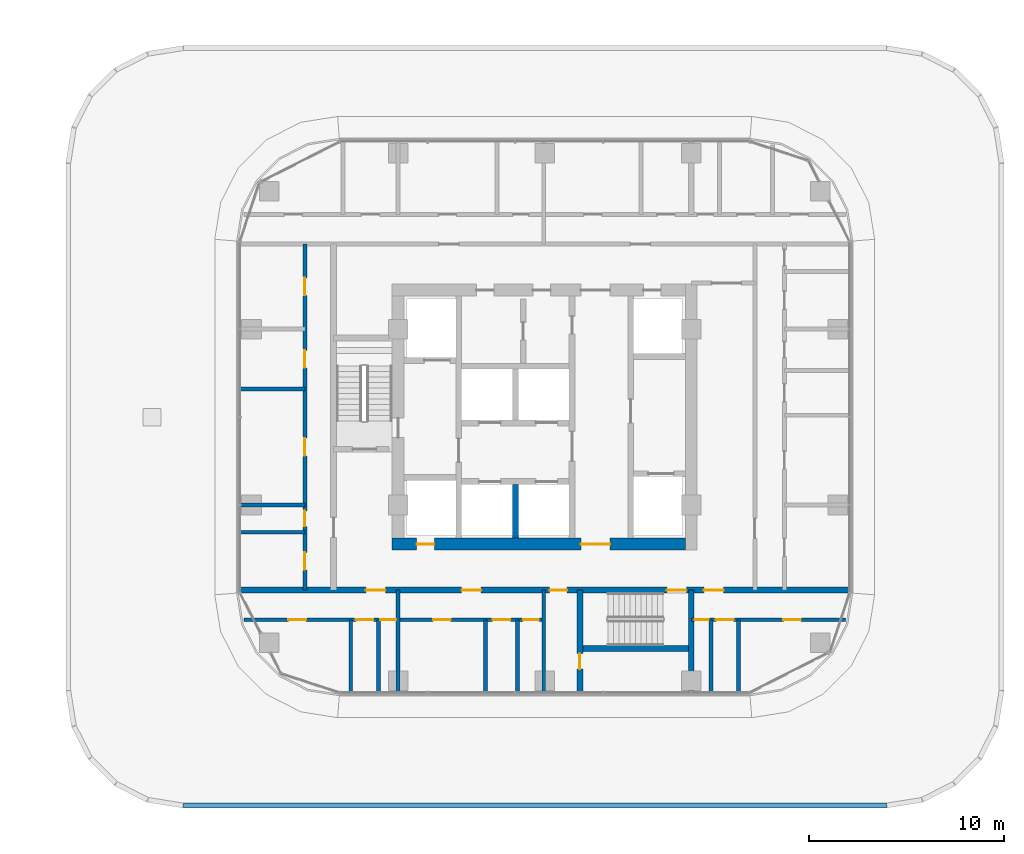
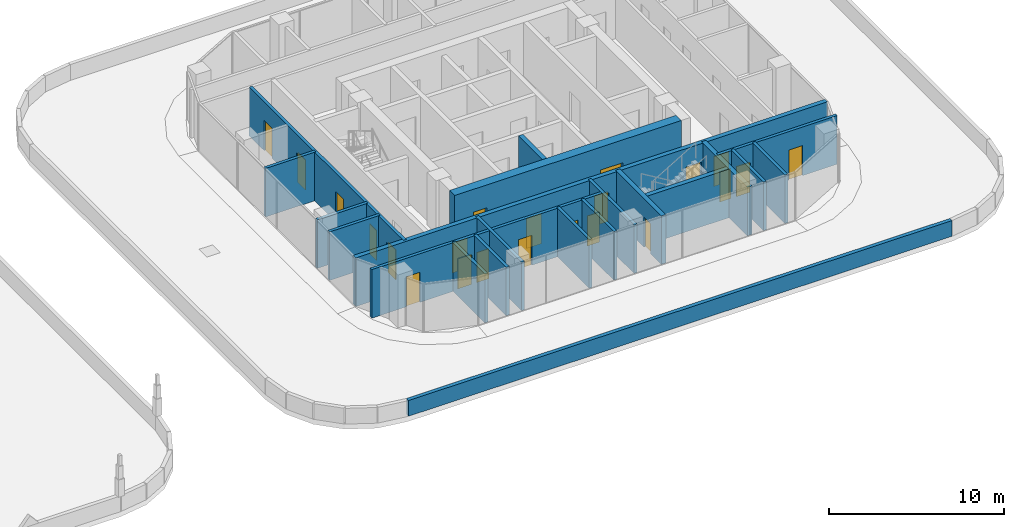
# One storey, part 29 of 51: 22 doors, 21 walls, 22 openings.
"""IFC4 building model written with IfcOpenShell, lengths in metres."""

from ifc_helpers import new_model, si_unit, direction, frame, frame_2d, origin, place, context, subcontext, project, spatial, rectangle, extrude, material, layer, layer_set, type_object, element, fill, save


model = new_model("IFC4")

# Units and contexts
model_context = context("Model", 3, precision=1e-05, world=origin(), true_north=direction((0.0, 1.0)))
body_context = subcontext(model_context, "Body", "Model", "MODEL_VIEW")
ifc_project = project(units=[si_unit("LENGTHUNIT", "METRE"), si_unit("AREAUNIT", "SQUARE_METRE"), si_unit("VOLUMEUNIT", "CUBIC_METRE"), si_unit("PLANEANGLEUNIT", "RADIAN"), si_unit("MASSUNIT", "GRAM", prefix="KILO")], contexts=[model_context])

# Site, building, storey
site_placement = place(None, origin())
site = spatial("IfcSite", under=ifc_project, at=site_placement, CompositionType="ELEMENT")
building_placement = place(site_placement, origin())
building = spatial("IfcBuilding", under=site, at=building_placement, Name="Ogive Portal Towers", CompositionType="ELEMENT")
storey_placement = place(building_placement, frame((0.0, 0.0, 33.5)))
storey = spatial("IfcBuildingStorey", under=building, at=storey_placement, Name="L06", CompositionType="ELEMENT", Elevation=33.5)

# Wall
ifc_material_1 = material(Name="Concrete C60/75", Category="concrete")
ifc_layer_1 = layer(ifc_material_1, 0.300048828125)
ifc_layer_set_1 = layer_set([ifc_layer_1], Name="CORE WALL 300 C60")
wall_type_1 = type_object("IfcWallType", Name="CORE WALL 300 C60", PredefinedType="SHEAR", material=ifc_layer_set_1)
wall_1_placement = place(storey_placement, frame((135.0, 24.800048828125, 0.0), z_axis=(0.0, 0.0, 1.0), x_axis=(0.0, 1.0, 0.0)))
element("IfcWall", 1, at=wall_1_placement, inside=storey, type_object=wall_type_1, Name="Tower B core wall BX4 L06", PredefinedType="SHEAR", context=body_context, shape_type="SweptSolid", body=[
    extrude(rectangle(XDim=2.75, YDim=0.300048828125, at=frame_2d((1.375, 0.0))), origin(), (0.0, 0.0, 1.0), 3.699951171875),
])

# Wall, openings, doors
ifc_layer_2 = layer(ifc_material_1, 0.60009765625)
ifc_layer_set_2 = layer_set([ifc_layer_2], Name="CORE WALL 600 C60")
wall_type_2 = type_object("IfcWallType", Name="CORE WALL 600 C60", PredefinedType="SHEAR", material=ifc_layer_set_2)
wall_2_placement = place(storey_placement, frame((128.699951171875, 24.5, 0.0), z_axis=(0.0, 0.0, 1.0), x_axis=(1.0, 0.0, 0.0)))
wall_2 = element("IfcWall", 2, at=wall_2_placement, inside=storey, type_object=wall_type_2, Name="Tower B core wall BS L06", PredefinedType="SHEAR", context=body_context, shape_type="SweptSolid", body=[
    extrude(rectangle(XDim=15.0, YDim=0.60009765625, at=frame_2d((7.5, 0.0))), origin(), (0.0, 0.0, 1.0), 3.699951171875),
])
opening_1_placement = place(wall_2_placement, frame((9.64990234375, 0.0, 0.0)))
opening_1 = element("IfcOpeningElement", 3, at=opening_1_placement, cuts=wall_2, Name="Opening B01-047", PredefinedType="OPENING", context=body_context, shape_type="SweptSolid", body=[
    extrude(rectangle(XDim=1.5, YDim=2.10009765625, at=frame_2d((0.75, 1.050048828125))), frame((0.0, 0.31005859375, 0.0), z_axis=(0.0, -1.0, 0.0), x_axis=(1.0, 0.0, 0.0)), (0.0, 0.0, 1.0), 0.6201171875),
])
opening_2_placement = place(wall_2_placement, frame((1.25, 0.0, 0.0)))
opening_2 = element("IfcOpeningElement", 4, at=opening_2_placement, cuts=wall_2, Name="Opening B01-049", PredefinedType="OPENING", context=body_context, shape_type="SweptSolid", body=[
    extrude(rectangle(XDim=0.89990234375, YDim=2.10009765625, at=frame_2d((0.449951171875, 1.050048828125))), frame((0.0, 0.31005859375, 0.0), z_axis=(0.0, -1.0, 0.0), x_axis=(1.0, 0.0, 0.0)), (0.0, 0.0, 1.0), 0.6201171875),
])
ifc_material_2 = material(Name="Steel fire door", Category="steel")
door_type_1 = type_object("IfcDoorType", Name="DT-SWING-1500x2100-FD90S", OperationType="SINGLE_SWING_LEFT", PredefinedType="DOOR", material=ifc_material_2)
door_1_placement = place(opening_1_placement, origin())
door_1 = element("IfcDoor", 5, at=door_1_placement, inside=storey, type_object=door_type_1, Name="Door B01-047", OperationType="SINGLE_SWING_LEFT", OverallHeight=2.10009765625, OverallWidth=1.5, PredefinedType="DOOR", context=body_context, shape_type="SweptSolid", body=[
    extrude(rectangle(XDim=1.5, YDim=2.10009765625, at=frame_2d((0.75, 1.050048828125))), frame((0.0, 0.02490234375, 0.0), z_axis=(0.0, -1.0, 0.0), x_axis=(1.0, 0.0, 0.0)), (0.0, 0.0, 1.0), 0.050048828125),
])
fill(opening_1, door_1)
door_type_2 = type_object("IfcDoorType", Name="DT-SWING-900x2100-FD90S", OperationType="SINGLE_SWING_LEFT", PredefinedType="DOOR", material=ifc_material_2)
door_2_placement = place(opening_2_placement, origin())
door_2 = element("IfcDoor", 6, at=door_2_placement, inside=storey, type_object=door_type_2, Name="Riser access door B01-049", OperationType="SINGLE_SWING_LEFT", OverallHeight=2.10009765625, OverallWidth=0.89990234375, PredefinedType="DOOR", context=body_context, shape_type="SweptSolid", body=[
    extrude(rectangle(XDim=0.89990234375, YDim=2.10009765625, at=frame_2d((0.449951171875, 1.050048828125))), frame((0.0, 0.02490234375, 0.0), z_axis=(0.0, -1.0, 0.0), x_axis=(1.0, 0.0, 0.0)), (0.0, 0.0, 1.0), 0.050048828125),
])
fill(opening_2, door_2)

# Walls
ifc_material_3 = material(Name="Limestone cladding on lightweight block wall", Category="masonry")
ifc_layer_3 = layer(ifc_material_3, 0.25)
ifc_layer_set_3 = layer_set([ifc_layer_3], Name="PARAPET 250 STONE")
wall_type_3 = type_object("IfcWallType", Name="PARAPET 250 STONE", PredefinedType="PARAPET", material=ifc_layer_set_3)
wall_3_placement = place(storey_placement, frame((118.019775390625, 11.125, 0.0), z_axis=(0.0, 0.0, 1.0), x_axis=(1.0, 0.0, 0.0)))
element("IfcWall", 7, at=wall_3_placement, inside=storey, type_object=wall_type_3, Name="B:L06:proof0:para06", PredefinedType="PARAPET", context=body_context, shape_type="SweptSolid", body=[
    extrude(rectangle(XDim=35.96044921875, YDim=0.25, at=frame_2d((17.980224609375, 0.0))), origin(), (0.0, 0.0, 1.0), 1.10009765625),
])
ifc_material_4 = material(Name="Concrete C50/60", Category="concrete")
ifc_layer_4 = layer(ifc_material_4, 0.300048828125)
ifc_layer_set_4 = layer_set([ifc_layer_4], Name="STAIR WALL 300 C50")
wall_type_4 = type_object("IfcWallType", Name="STAIR WALL 300 C50", PredefinedType="SHEAR", material=ifc_layer_set_4)
wall_4_placement = place(storey_placement, frame((138.25, 19.14990234375, 0.0), z_axis=(0.0, 0.0, 1.0), x_axis=(1.0, 0.0, 0.0)))
element("IfcWall", 8, at=wall_4_placement, inside=storey, type_object=wall_type_4, Name="Stair wall ST-B2 L06", PredefinedType="SHEAR", context=body_context, shape_type="SweptSolid", body=[
    extrude(rectangle(XDim=5.75, YDim=0.300048828125, at=frame_2d((2.875, 0.0))), origin(), (0.0, 0.0, 1.0), 3.39990234375),
])

# Wall, openings, doors
wall_5_placement = place(storey_placement, frame((120.889892578125, 22.14990234375, 0.0), z_axis=(0.0, 0.0, 1.0), x_axis=(1.0, 0.0, 0.0)))
wall_5 = element("IfcWall", 9, at=wall_5_placement, inside=storey, type_object=wall_type_4, Name="Stair wall ST-B2 L06", PredefinedType="SHEAR", context=body_context, shape_type="SweptSolid", body=[
    extrude(rectangle(XDim=31.22021484375, YDim=0.300048828125, at=frame_2d((15.610107421875, 0.0))), origin(), (0.0, 0.0, 1.0), 3.39990234375),
])
opening_3_placement = place(wall_5_placement, frame((21.860107421875, 0.0, 0.0)))
opening_3 = element("IfcOpeningElement", 10, at=opening_3_placement, cuts=wall_5, Name="Opening B01-003", PredefinedType="OPENING", context=body_context, shape_type="SweptSolid", body=[
    extrude(rectangle(XDim=1.0, YDim=2.10009765625, at=frame_2d((0.5, 1.050048828125))), frame((0.0, 0.16015625, 0.0), z_axis=(0.0, -1.0, 0.0), x_axis=(1.0, 0.0, 0.0)), (0.0, 0.0, 1.0), 0.320068359375),
])
opening_4_placement = place(wall_5_placement, frame((6.4599609375, 0.0, 0.0)))
opening_4 = element("IfcOpeningElement", 11, at=opening_4_placement, cuts=wall_5, Name="Opening B01-016", PredefinedType="OPENING", context=body_context, shape_type="SweptSolid", body=[
    extrude(rectangle(XDim=1.0, YDim=2.10009765625, at=frame_2d((0.5, 1.050048828125))), frame((0.0, 0.16015625, 0.0), z_axis=(0.0, -1.0, 0.0), x_axis=(1.0, 0.0, 0.0)), (0.0, 0.0, 1.0), 0.320068359375),
])
opening_5_placement = place(wall_5_placement, frame((11.360107421875, 0.0, 0.0)))
opening_5 = element("IfcOpeningElement", 12, at=opening_5_placement, cuts=wall_5, Name="Opening B01-020", PredefinedType="OPENING", context=body_context, shape_type="SweptSolid", body=[
    extrude(rectangle(XDim=1.0, YDim=2.10009765625, at=frame_2d((0.5, 1.050048828125))), frame((0.0, 0.16015625, 0.0), z_axis=(0.0, -1.0, 0.0), x_axis=(1.0, 0.0, 0.0)), (0.0, 0.0, 1.0), 0.320068359375),
])
opening_6_placement = place(wall_5_placement, frame((23.760009765625, 0.0, 0.0)))
opening_6 = element("IfcOpeningElement", 13, at=opening_6_placement, cuts=wall_5, Name="Opening B01-024", PredefinedType="OPENING", context=body_context, shape_type="SweptSolid", body=[
    extrude(rectangle(XDim=1.0, YDim=2.10009765625, at=frame_2d((0.5, 1.050048828125))), frame((0.0, 0.16015625, 0.0), z_axis=(0.0, -1.0, 0.0), x_axis=(1.0, 0.0, 0.0)), (0.0, 0.0, 1.0), 0.320068359375),
])
opening_7_placement = place(wall_5_placement, frame((15.860107421875, 0.0, 0.0)))
opening_7 = element("IfcOpeningElement", 14, at=opening_7_placement, cuts=wall_5, Name="Opening B01-028", PredefinedType="OPENING", context=body_context, shape_type="SweptSolid", body=[
    extrude(rectangle(XDim=0.89990234375, YDim=2.10009765625, at=frame_2d((0.449951171875, 1.050048828125))), frame((0.0, 0.16015625, 0.0), z_axis=(0.0, -1.0, 0.0), x_axis=(1.0, 0.0, 0.0)), (0.0, 0.0, 1.0), 0.320068359375),
])
door_type_3 = type_object("IfcDoorType", Name="DT-SWING-1000x2100-FD90S", OperationType="SINGLE_SWING_LEFT", PredefinedType="DOOR", material=ifc_material_2)
door_3_placement = place(opening_3_placement, origin())
door_3 = element("IfcDoor", 15, at=door_3_placement, inside=storey, type_object=door_type_3, Name="Door B01-003", OperationType="SINGLE_SWING_LEFT", OverallHeight=2.10009765625, OverallWidth=1.0, PredefinedType="DOOR", context=body_context, shape_type="SweptSolid", body=[
    extrude(rectangle(XDim=1.0, YDim=2.10009765625, at=frame_2d((0.5, 1.050048828125))), frame((0.0, 0.02490234375, 0.0), z_axis=(0.0, -1.0, 0.0), x_axis=(1.0, 0.0, 0.0)), (0.0, 0.0, 1.0), 0.050048828125),
])
fill(opening_3, door_3)
door_4_placement = place(opening_4_placement, origin())
door_4 = element("IfcDoor", 16, at=door_4_placement, inside=storey, type_object=door_type_3, Name="Door B01-016", OperationType="SINGLE_SWING_RIGHT", OverallHeight=2.10009765625, OverallWidth=1.0, PredefinedType="DOOR", context=body_context, shape_type="SweptSolid", body=[
    extrude(rectangle(XDim=1.0, YDim=2.10009765625, at=frame_2d((0.5, 1.050048828125))), frame((0.0, 0.02490234375, 0.0), z_axis=(0.0, -1.0, 0.0), x_axis=(1.0, 0.0, 0.0)), (0.0, 0.0, 1.0), 0.050048828125),
])
fill(opening_4, door_4)
door_5_placement = place(opening_5_placement, origin())
door_5 = element("IfcDoor", 17, at=door_5_placement, inside=storey, type_object=door_type_3, Name="Door B01-020", OperationType="SINGLE_SWING_RIGHT", OverallHeight=2.10009765625, OverallWidth=1.0, PredefinedType="DOOR", context=body_context, shape_type="SweptSolid", body=[
    extrude(rectangle(XDim=1.0, YDim=2.10009765625, at=frame_2d((0.5, 1.050048828125))), frame((0.0, 0.02490234375, 0.0), z_axis=(0.0, -1.0, 0.0), x_axis=(1.0, 0.0, 0.0)), (0.0, 0.0, 1.0), 0.050048828125),
])
fill(opening_5, door_5)
door_6_placement = place(opening_6_placement, origin())
door_6 = element("IfcDoor", 18, at=door_6_placement, inside=storey, type_object=door_type_3, Name="Door B01-024", OperationType="SINGLE_SWING_RIGHT", OverallHeight=2.10009765625, OverallWidth=1.0, PredefinedType="DOOR", context=body_context, shape_type="SweptSolid", body=[
    extrude(rectangle(XDim=1.0, YDim=2.10009765625, at=frame_2d((0.5, 1.050048828125))), frame((0.0, 0.02490234375, 0.0), z_axis=(0.0, -1.0, 0.0), x_axis=(1.0, 0.0, 0.0)), (0.0, 0.0, 1.0), 0.050048828125),
])
fill(opening_6, door_6)
door_7_placement = place(opening_7_placement, origin())
door_7 = element("IfcDoor", 19, at=door_7_placement, inside=storey, type_object=door_type_2, Name="Door B01-028", OperationType="SINGLE_SWING_RIGHT", OverallHeight=2.10009765625, OverallWidth=0.89990234375, PredefinedType="DOOR", context=body_context, shape_type="SweptSolid", body=[
    extrude(rectangle(XDim=0.89990234375, YDim=2.10009765625, at=frame_2d((0.449951171875, 1.050048828125))), frame((0.0, 0.02490234375, 0.0), z_axis=(0.0, -1.0, 0.0), x_axis=(1.0, 0.0, 0.0)), (0.0, 0.0, 1.0), 0.050048828125),
])
fill(opening_7, door_7)

# Wall, opening, door
wall_6_placement = place(storey_placement, frame((138.300048828125, 16.889892578125, 0.0), z_axis=(0.0, 0.0, 1.0), x_axis=(0.0, 1.0, 0.0)))
wall_6 = element("IfcWall", 20, at=wall_6_placement, inside=storey, type_object=wall_type_4, Name="Stair wall ST-B2 L06", PredefinedType="SHEAR", context=body_context, shape_type="SweptSolid", body=[
    extrude(rectangle(XDim=5.260009765625, YDim=0.300048828125, at=frame_2d((2.6298828125, 0.0))), origin(), (0.0, 0.0, 1.0), 3.39990234375),
])
opening_8_placement = place(wall_6_placement, frame((1.2099609375, 0.0, 0.0)))
opening_8 = element("IfcOpeningElement", 21, at=opening_8_placement, cuts=wall_6, Name="Opening B01-029", PredefinedType="OPENING", context=body_context, shape_type="SweptSolid", body=[
    extrude(rectangle(XDim=0.800048828125, YDim=2.10009765625, at=frame_2d((0.39990234375, 1.050048828125))), frame((0.0, 0.16015625, 0.0), z_axis=(0.0, -1.0, 0.0), x_axis=(1.0, 0.0, 0.0)), (0.0, 0.0, 1.0), 0.320068359375),
])
door_type_4 = type_object("IfcDoorType", Name="DT-SWING-800x2100-FD90S", OperationType="SINGLE_SWING_LEFT", PredefinedType="DOOR", material=ifc_material_2)
door_8_placement = place(opening_8_placement, origin())
door_8 = element("IfcDoor", 22, at=door_8_placement, inside=storey, type_object=door_type_4, Name="Door B01-029", OperationType="SINGLE_SWING_LEFT", OverallHeight=2.10009765625, OverallWidth=0.800048828125, PredefinedType="DOOR", context=body_context, shape_type="SweptSolid", body=[
    extrude(rectangle(XDim=0.800048828125, YDim=2.10009765625, at=frame_2d((0.39990234375, 1.050048828125))), frame((0.0, 0.02490234375, 0.0), z_axis=(0.0, -1.0, 0.0), x_axis=(1.0, 0.0, 0.0)), (0.0, 0.0, 1.0), 0.050048828125),
])
fill(opening_8, door_8)

# Wall
wall_7_placement = place(storey_placement, frame((144.0, 16.889892578125, 0.0), z_axis=(0.0, 0.0, 1.0), x_axis=(0.0, 1.0, 0.0)))
element("IfcWall", 23, at=wall_7_placement, inside=storey, type_object=wall_type_4, Name="Stair wall ST-B2 L06", PredefinedType="SHEAR", context=body_context, shape_type="SweptSolid", body=[
    extrude(rectangle(XDim=5.260009765625, YDim=0.300048828125, at=frame_2d((2.6298828125, 0.0))), origin(), (0.0, 0.0, 1.0), 3.39990234375),
])

# Wall, openings, doors
ifc_material_5 = material(Name="Gypsum board partition on steel studs", Category="steel")
ifc_layer_5 = layer(ifc_material_5, 0.199951171875)
ifc_layer_set_5 = layer_set([ifc_layer_5], Name="WT-PART-200-EI 60")
wall_type_5 = type_object("IfcWallType", Name="WT-PART-200-EI 60", PredefinedType="PARTITIONING", material=ifc_layer_set_5)
wall_8_placement = place(storey_placement, frame((121.10791015625, 20.6298828125, 0.0), z_axis=(0.0, 0.0, 1.0), x_axis=(1.0, 0.0, 0.0)))
wall_8 = element("IfcWall", 24, at=wall_8_placement, inside=storey, type_object=wall_type_5, Name="Wall L06:w002", PredefinedType="PARTITIONING", context=body_context, shape_type="SweptSolid", body=[
    extrude(rectangle(XDim=15.39208984375, YDim=0.199951171875, at=frame_2d((7.696044921875, 0.0))), origin(), (0.0, 0.0, 1.0), 3.39990234375),
])
opening_9_placement = place(wall_8_placement, frame((2.283935546875, 0.0, 0.0)))
opening_9 = element("IfcOpeningElement", 25, at=opening_9_placement, cuts=wall_8, Name="Opening B01-017", PredefinedType="OPENING", context=body_context, shape_type="SweptSolid", body=[
    extrude(rectangle(XDim=0.89990234375, YDim=2.10009765625, at=frame_2d((0.449951171875, 1.050048828125))), frame((0.0, 0.10986328125, 0.0), z_axis=(0.0, -1.0, 0.0), x_axis=(1.0, 0.0, 0.0)), (0.0, 0.0, 1.0), 0.219970703125),
])
opening_10_placement = place(wall_8_placement, frame((5.72705078125, 0.0, 0.0)))
opening_10 = element("IfcOpeningElement", 26, at=opening_10_placement, cuts=wall_8, Name="Opening B01-018", PredefinedType="OPENING", context=body_context, shape_type="SweptSolid", body=[
    extrude(rectangle(XDim=0.89990234375, YDim=2.10009765625, at=frame_2d((0.449951171875, 1.050048828125))), frame((0.0, 0.10986328125, 0.0), z_axis=(0.0, -1.0, 0.0), x_axis=(1.0, 0.0, 0.0)), (0.0, 0.0, 1.0), 0.219970703125),
])
opening_11_placement = place(wall_8_placement, frame((6.988037109375, 0.0, 0.0)))
opening_11 = element("IfcOpeningElement", 27, at=opening_11_placement, cuts=wall_8, Name="Opening B01-019", PredefinedType="OPENING", context=body_context, shape_type="SweptSolid", body=[
    extrude(rectangle(XDim=0.800048828125, YDim=2.10009765625, at=frame_2d((0.39990234375, 1.050048828125))), frame((0.0, 0.10986328125, 0.0), z_axis=(0.0, -1.0, 0.0), x_axis=(1.0, 0.0, 0.0)), (0.0, 0.0, 1.0), 0.219970703125),
])
opening_12_placement = place(wall_8_placement, frame((9.679931640625, 0.0, 0.0)))
opening_12 = element("IfcOpeningElement", 28, at=opening_12_placement, cuts=wall_8, Name="Opening B01-021", PredefinedType="OPENING", context=body_context, shape_type="SweptSolid", body=[
    extrude(rectangle(XDim=0.89990234375, YDim=2.10009765625, at=frame_2d((0.449951171875, 1.050048828125))), frame((0.0, 0.10986328125, 0.0), z_axis=(0.0, -1.0, 0.0), x_axis=(1.0, 0.0, 0.0)), (0.0, 0.0, 1.0), 0.219970703125),
])
opening_13_placement = place(wall_8_placement, frame((12.73291015625, 0.0, 0.0)))
opening_13 = element("IfcOpeningElement", 29, at=opening_13_placement, cuts=wall_8, Name="Opening B01-022", PredefinedType="OPENING", context=body_context, shape_type="SweptSolid", body=[
    extrude(rectangle(XDim=0.89990234375, YDim=2.10009765625, at=frame_2d((0.449951171875, 1.050048828125))), frame((0.0, 0.10986328125, 0.0), z_axis=(0.0, -1.0, 0.0), x_axis=(1.0, 0.0, 0.0)), (0.0, 0.0, 1.0), 0.219970703125),
])
opening_14_placement = place(wall_8_placement, frame((14.294921875, 0.0, 0.0)))
opening_14 = element("IfcOpeningElement", 30, at=opening_14_placement, cuts=wall_8, Name="Opening B01-023", PredefinedType="OPENING", context=body_context, shape_type="SweptSolid", body=[
    extrude(rectangle(XDim=0.800048828125, YDim=2.10009765625, at=frame_2d((0.39990234375, 1.050048828125))), frame((0.0, 0.10986328125, 0.0), z_axis=(0.0, -1.0, 0.0), x_axis=(1.0, 0.0, 0.0)), (0.0, 0.0, 1.0), 0.219970703125),
])
door_type_5 = type_object("IfcDoorType", Name="DT-SWING-800x2100-FD60S", OperationType="SINGLE_SWING_LEFT", PredefinedType="DOOR", material=ifc_material_2)
door_9_placement = place(opening_11_placement, origin())
door_9 = element("IfcDoor", 31, at=door_9_placement, inside=storey, type_object=door_type_5, Name="Door B01-019", OperationType="SINGLE_SWING_LEFT", OverallHeight=2.10009765625, OverallWidth=0.800048828125, PredefinedType="DOOR", context=body_context, shape_type="SweptSolid", body=[
    extrude(rectangle(XDim=0.800048828125, YDim=2.10009765625, at=frame_2d((0.39990234375, 1.050048828125))), frame((0.0, 0.02490234375, 0.0), z_axis=(0.0, -1.0, 0.0), x_axis=(1.0, 0.0, 0.0)), (0.0, 0.0, 1.0), 0.050048828125),
])
fill(opening_11, door_9)
door_10_placement = place(opening_14_placement, origin())
door_10 = element("IfcDoor", 32, at=door_10_placement, inside=storey, type_object=door_type_5, Name="Door B01-023", OperationType="SINGLE_SWING_LEFT", OverallHeight=2.10009765625, OverallWidth=0.800048828125, PredefinedType="DOOR", context=body_context, shape_type="SweptSolid", body=[
    extrude(rectangle(XDim=0.800048828125, YDim=2.10009765625, at=frame_2d((0.39990234375, 1.050048828125))), frame((0.0, 0.02490234375, 0.0), z_axis=(0.0, -1.0, 0.0), x_axis=(1.0, 0.0, 0.0)), (0.0, 0.0, 1.0), 0.050048828125),
])
fill(opening_14, door_10)
door_type_6 = type_object("IfcDoorType", Name="DT-SWING-900x2100-FD60S", OperationType="SINGLE_SWING_LEFT", PredefinedType="DOOR", material=ifc_material_2)
door_11_placement = place(opening_9_placement, origin())
door_11 = element("IfcDoor", 33, at=door_11_placement, inside=storey, type_object=door_type_6, Name="Door B01-017", OperationType="SINGLE_SWING_LEFT", OverallHeight=2.10009765625, OverallWidth=0.89990234375, PredefinedType="DOOR", context=body_context, shape_type="SweptSolid", body=[
    extrude(rectangle(XDim=0.89990234375, YDim=2.10009765625, at=frame_2d((0.449951171875, 1.050048828125))), frame((0.0, 0.02490234375, 0.0), z_axis=(0.0, -1.0, 0.0), x_axis=(1.0, 0.0, 0.0)), (0.0, 0.0, 1.0), 0.050048828125),
])
fill(opening_9, door_11)
door_12_placement = place(opening_10_placement, origin())
door_12 = element("IfcDoor", 34, at=door_12_placement, inside=storey, type_object=door_type_6, Name="Door B01-018", OperationType="SINGLE_SWING_RIGHT", OverallHeight=2.10009765625, OverallWidth=0.89990234375, PredefinedType="DOOR", context=body_context, shape_type="SweptSolid", body=[
    extrude(rectangle(XDim=0.89990234375, YDim=2.10009765625, at=frame_2d((0.449951171875, 1.050048828125))), frame((0.0, 0.02490234375, 0.0), z_axis=(0.0, -1.0, 0.0), x_axis=(1.0, 0.0, 0.0)), (0.0, 0.0, 1.0), 0.050048828125),
])
fill(opening_10, door_12)
door_13_placement = place(opening_12_placement, origin())
door_13 = element("IfcDoor", 35, at=door_13_placement, inside=storey, type_object=door_type_6, Name="Door B01-021", OperationType="SINGLE_SWING_LEFT", OverallHeight=2.10009765625, OverallWidth=0.89990234375, PredefinedType="DOOR", context=body_context, shape_type="SweptSolid", body=[
    extrude(rectangle(XDim=0.89990234375, YDim=2.10009765625, at=frame_2d((0.449951171875, 1.050048828125))), frame((0.0, 0.02490234375, 0.0), z_axis=(0.0, -1.0, 0.0), x_axis=(1.0, 0.0, 0.0)), (0.0, 0.0, 1.0), 0.050048828125),
])
fill(opening_12, door_13)
door_14_placement = place(opening_13_placement, origin())
door_14 = element("IfcDoor", 36, at=door_14_placement, inside=storey, type_object=door_type_6, Name="Door B01-022", OperationType="SINGLE_SWING_RIGHT", OverallHeight=2.10009765625, OverallWidth=0.89990234375, PredefinedType="DOOR", context=body_context, shape_type="SweptSolid", body=[
    extrude(rectangle(XDim=0.89990234375, YDim=2.10009765625, at=frame_2d((0.449951171875, 1.050048828125))), frame((0.0, 0.02490234375, 0.0), z_axis=(0.0, -1.0, 0.0), x_axis=(1.0, 0.0, 0.0)), (0.0, 0.0, 1.0), 0.050048828125),
])
fill(opening_13, door_14)

wall_9_placement = place(storey_placement, frame((144.0, 20.6298828125, 0.0), z_axis=(0.0, 0.0, 1.0), x_axis=(1.0, 0.0, 0.0)))
wall_9 = element("IfcWall", 37, at=wall_9_placement, inside=storey, type_object=wall_type_5, Name="Wall L06:w003", PredefinedType="PARTITIONING", context=body_context, shape_type="SweptSolid", body=[
    extrude(rectangle(XDim=7.89208984375, YDim=0.199951171875, at=frame_2d((3.946044921875, 0.0))), origin(), (0.0, 0.0, 1.0), 3.39990234375),
])
opening_15_placement = place(wall_9_placement, frame((0.169921875, 0.0, 0.0)))
opening_15 = element("IfcOpeningElement", 38, at=opening_15_placement, cuts=wall_9, Name="Opening B01-025", PredefinedType="OPENING", context=body_context, shape_type="SweptSolid", body=[
    extrude(rectangle(XDim=0.73388671875, YDim=2.10009765625, at=frame_2d((0.366943359375, 1.050048828125))), frame((0.0, 0.10986328125, 0.0), z_axis=(0.0, -1.0, 0.0), x_axis=(1.0, 0.0, 0.0)), (0.0, 0.0, 1.0), 0.219970703125),
])
opening_16_placement = place(wall_9_placement, frame((1.264892578125, 0.0, 0.0)))
opening_16 = element("IfcOpeningElement", 39, at=opening_16_placement, cuts=wall_9, Name="Opening B01-026", PredefinedType="OPENING", context=body_context, shape_type="SweptSolid", body=[
    extrude(rectangle(XDim=0.89990234375, YDim=2.10009765625, at=frame_2d((0.449951171875, 1.050048828125))), frame((0.0, 0.10986328125, 0.0), z_axis=(0.0, -1.0, 0.0), x_axis=(1.0, 0.0, 0.0)), (0.0, 0.0, 1.0), 0.219970703125),
])
opening_17_placement = place(wall_9_placement, frame((4.7080078125, 0.0, 0.0)))
opening_17 = element("IfcOpeningElement", 40, at=opening_17_placement, cuts=wall_9, Name="Opening B01-027", PredefinedType="OPENING", context=body_context, shape_type="SweptSolid", body=[
    extrude(rectangle(XDim=0.89990234375, YDim=2.10009765625, at=frame_2d((0.449951171875, 1.050048828125))), frame((0.0, 0.10986328125, 0.0), z_axis=(0.0, -1.0, 0.0), x_axis=(1.0, 0.0, 0.0)), (0.0, 0.0, 1.0), 0.219970703125),
])
door_type_7 = type_object("IfcDoorType", Name="DT-SWING-734x2100-FD60S", OperationType="SINGLE_SWING_LEFT", PredefinedType="DOOR", material=ifc_material_2)
door_15_placement = place(opening_15_placement, origin())
door_15 = element("IfcDoor", 41, at=door_15_placement, inside=storey, type_object=door_type_7, Name="Door B01-025", OperationType="SINGLE_SWING_LEFT", OverallHeight=2.10009765625, OverallWidth=0.73388671875, PredefinedType="DOOR", context=body_context, shape_type="SweptSolid", body=[
    extrude(rectangle(XDim=0.73388671875, YDim=2.10009765625, at=frame_2d((0.366943359375, 1.050048828125))), frame((0.0, 0.02490234375, 0.0), z_axis=(0.0, -1.0, 0.0), x_axis=(1.0, 0.0, 0.0)), (0.0, 0.0, 1.0), 0.050048828125),
])
fill(opening_15, door_15)
door_16_placement = place(opening_16_placement, origin())
door_16 = element("IfcDoor", 42, at=door_16_placement, inside=storey, type_object=door_type_6, Name="Door B01-026", OperationType="SINGLE_SWING_RIGHT", OverallHeight=2.10009765625, OverallWidth=0.89990234375, PredefinedType="DOOR", context=body_context, shape_type="SweptSolid", body=[
    extrude(rectangle(XDim=0.89990234375, YDim=2.10009765625, at=frame_2d((0.449951171875, 1.050048828125))), frame((0.0, 0.02490234375, 0.0), z_axis=(0.0, -1.0, 0.0), x_axis=(1.0, 0.0, 0.0)), (0.0, 0.0, 1.0), 0.050048828125),
])
fill(opening_16, door_16)
door_17_placement = place(opening_17_placement, origin())
door_17 = element("IfcDoor", 43, at=door_17_placement, inside=storey, type_object=door_type_6, Name="Door B01-027", OperationType="SINGLE_SWING_LEFT", OverallHeight=2.10009765625, OverallWidth=0.89990234375, PredefinedType="DOOR", context=body_context, shape_type="SweptSolid", body=[
    extrude(rectangle(XDim=0.89990234375, YDim=2.10009765625, at=frame_2d((0.449951171875, 1.050048828125))), frame((0.0, 0.02490234375, 0.0), z_axis=(0.0, -1.0, 0.0), x_axis=(1.0, 0.0, 0.0)), (0.0, 0.0, 1.0), 0.050048828125),
])
fill(opening_17, door_17)

# Walls
for number, where, z_axis, x_axis, name in (
    (44, (120.889892578125, 25.10595703125, 0.0), (0.0, 0.0, 1.0), (1.0, 0.0, 0.0), "Wall L06:w007"),
    (45, (120.889892578125, 26.5, 0.0), (0.0, 0.0, 1.0), (1.0, 0.0, 0.0), "Wall L06:w008"),
    (46, (120.889892578125, 32.43310546875, 0.0), (0.0, 0.0, 1.0), (1.0, 0.0, 0.0), "Wall L06:w012"),
):
    element("IfcWall", number, at=place(storey_placement, frame(where, z_axis=z_axis, x_axis=x_axis)), inside=storey, type_object=wall_type_5, Name=name, PredefinedType="PARTITIONING", context=body_context, shape_type="SweptSolid", body=[
        extrude(rectangle(XDim=3.340087890625, YDim=0.199951171875, at=frame_2d((1.669921875, 0.0))), origin(), (0.0, 0.0, 1.0), 3.39990234375),
    ])

# Wall, openings, doors
wall_10_placement = place(storey_placement, frame((124.22998046875, 22.14990234375, 0.0), z_axis=(0.0, 0.0, 1.0), x_axis=(0.0, 1.0, 0.0)))
wall_10 = element("IfcWall", 47, at=wall_10_placement, inside=storey, type_object=wall_type_5, Name="Wall L06:w022", PredefinedType="PARTITIONING", context=body_context, shape_type="SweptSolid", body=[
    extrude(rectangle(XDim=17.7001953125, YDim=0.199951171875, at=frame_2d((8.85009765625, 0.0))), origin(), (0.0, 0.0, 1.0), 3.39990234375),
])
opening_18_placement = place(wall_10_placement, frame((1.028076171875, 0.0, 0.0)))
opening_18 = element("IfcOpeningElement", 48, at=opening_18_placement, cuts=wall_10, Name="Opening B01-031", PredefinedType="OPENING", context=body_context, shape_type="SweptSolid", body=[
    extrude(rectangle(XDim=0.89990234375, YDim=2.10009765625, at=frame_2d((0.449951171875, 1.050048828125))), frame((0.0, 0.10986328125, 0.0), z_axis=(0.0, -1.0, 0.0), x_axis=(1.0, 0.0, 0.0)), (0.0, 0.0, 1.0), 0.219970703125),
])
opening_19_placement = place(wall_10_placement, frame((3.2529296875, 0.0, 0.0)))
opening_19 = element("IfcOpeningElement", 49, at=opening_19_placement, cuts=wall_10, Name="Opening B01-032", PredefinedType="OPENING", context=body_context, shape_type="SweptSolid", body=[
    extrude(rectangle(XDim=0.800048828125, YDim=2.10009765625, at=frame_2d((0.39990234375, 1.050048828125))), frame((0.0, 0.10986328125, 0.0), z_axis=(0.0, -1.0, 0.0), x_axis=(1.0, 0.0, 0.0)), (0.0, 0.0, 1.0), 0.219970703125),
])
opening_20_placement = place(wall_10_placement, frame((6.866943359375, 0.0, 0.0)))
opening_20 = element("IfcOpeningElement", 50, at=opening_20_placement, cuts=wall_10, Name="Opening B01-033", PredefinedType="OPENING", context=body_context, shape_type="SweptSolid", body=[
    extrude(rectangle(XDim=0.89990234375, YDim=2.10009765625, at=frame_2d((0.449951171875, 1.050048828125))), frame((0.0, 0.10986328125, 0.0), z_axis=(0.0, -1.0, 0.0), x_axis=(1.0, 0.0, 0.0)), (0.0, 0.0, 1.0), 0.219970703125),
])
opening_21_placement = place(wall_10_placement, frame((11.366943359375, 0.0, 0.0)))
opening_21 = element("IfcOpeningElement", 51, at=opening_21_placement, cuts=wall_10, Name="Opening B01-034", PredefinedType="OPENING", context=body_context, shape_type="SweptSolid", body=[
    extrude(rectangle(XDim=0.89990234375, YDim=2.10009765625, at=frame_2d((0.449951171875, 1.050048828125))), frame((0.0, 0.10986328125, 0.0), z_axis=(0.0, -1.0, 0.0), x_axis=(1.0, 0.0, 0.0)), (0.0, 0.0, 1.0), 0.219970703125),
])
opening_22_placement = place(wall_10_placement, frame((15.074951171875, 0.0, 0.0)))
opening_22 = element("IfcOpeningElement", 52, at=opening_22_placement, cuts=wall_10, Name="Opening B01-035", PredefinedType="OPENING", context=body_context, shape_type="SweptSolid", body=[
    extrude(rectangle(XDim=0.89990234375, YDim=2.10009765625, at=frame_2d((0.449951171875, 1.050048828125))), frame((0.0, 0.10986328125, 0.0), z_axis=(0.0, -1.0, 0.0), x_axis=(1.0, 0.0, 0.0)), (0.0, 0.0, 1.0), 0.219970703125),
])
door_18_placement = place(opening_19_placement, origin())
door_18 = element("IfcDoor", 53, at=door_18_placement, inside=storey, type_object=door_type_5, Name="Door B01-032", OperationType="SINGLE_SWING_RIGHT", OverallHeight=2.10009765625, OverallWidth=0.800048828125, PredefinedType="DOOR", context=body_context, shape_type="SweptSolid", body=[
    extrude(rectangle(XDim=0.800048828125, YDim=2.10009765625, at=frame_2d((0.39990234375, 1.050048828125))), frame((0.0, 0.02490234375, 0.0), z_axis=(0.0, -1.0, 0.0), x_axis=(1.0, 0.0, 0.0)), (0.0, 0.0, 1.0), 0.050048828125),
])
fill(opening_19, door_18)
door_19_placement = place(opening_18_placement, origin())
door_19 = element("IfcDoor", 54, at=door_19_placement, inside=storey, type_object=door_type_6, Name="Door B01-031", OperationType="SINGLE_SWING_LEFT", OverallHeight=2.10009765625, OverallWidth=0.89990234375, PredefinedType="DOOR", context=body_context, shape_type="SweptSolid", body=[
    extrude(rectangle(XDim=0.89990234375, YDim=2.10009765625, at=frame_2d((0.449951171875, 1.050048828125))), frame((0.0, 0.02490234375, 0.0), z_axis=(0.0, -1.0, 0.0), x_axis=(1.0, 0.0, 0.0)), (0.0, 0.0, 1.0), 0.050048828125),
])
fill(opening_18, door_19)
door_20_placement = place(opening_20_placement, origin())
door_20 = element("IfcDoor", 55, at=door_20_placement, inside=storey, type_object=door_type_6, Name="Door B01-033", OperationType="SINGLE_SWING_LEFT", OverallHeight=2.10009765625, OverallWidth=0.89990234375, PredefinedType="DOOR", context=body_context, shape_type="SweptSolid", body=[
    extrude(rectangle(XDim=0.89990234375, YDim=2.10009765625, at=frame_2d((0.449951171875, 1.050048828125))), frame((0.0, 0.02490234375, 0.0), z_axis=(0.0, -1.0, 0.0), x_axis=(1.0, 0.0, 0.0)), (0.0, 0.0, 1.0), 0.050048828125),
])
fill(opening_20, door_20)
door_21_placement = place(opening_21_placement, origin())
door_21 = element("IfcDoor", 56, at=door_21_placement, inside=storey, type_object=door_type_6, Name="Door B01-034", OperationType="SINGLE_SWING_RIGHT", OverallHeight=2.10009765625, OverallWidth=0.89990234375, PredefinedType="DOOR", context=body_context, shape_type="SweptSolid", body=[
    extrude(rectangle(XDim=0.89990234375, YDim=2.10009765625, at=frame_2d((0.449951171875, 1.050048828125))), frame((0.0, 0.02490234375, 0.0), z_axis=(0.0, -1.0, 0.0), x_axis=(1.0, 0.0, 0.0)), (0.0, 0.0, 1.0), 0.050048828125),
])
fill(opening_21, door_21)
door_22_placement = place(opening_22_placement, origin())
door_22 = element("IfcDoor", 57, at=door_22_placement, inside=storey, type_object=door_type_6, Name="Door B01-035", OperationType="SINGLE_SWING_LEFT", OverallHeight=2.10009765625, OverallWidth=0.89990234375, PredefinedType="DOOR", context=body_context, shape_type="SweptSolid", body=[
    extrude(rectangle(XDim=0.89990234375, YDim=2.10009765625, at=frame_2d((0.449951171875, 1.050048828125))), frame((0.0, 0.02490234375, 0.0), z_axis=(0.0, -1.0, 0.0), x_axis=(1.0, 0.0, 0.0)), (0.0, 0.0, 1.0), 0.050048828125),
])
fill(opening_22, door_22)

# Walls
for number, where, z_axis, x_axis, name in (
    (58, (126.5791015625, 16.889892578125, 0.0), (0.0, 0.0, 1.0), (0.0, 1.0, 0.0), "Wall L06:w025"),
    (59, (127.990966796875, 16.889892578125, 0.0), (0.0, 0.0, 1.0), (0.0, 1.0, 0.0), "Wall L06:w026"),
):
    element("IfcWall", number, at=place(storey_placement, frame(where, z_axis=z_axis, x_axis=x_axis)), inside=storey, type_object=wall_type_5, Name=name, PredefinedType="PARTITIONING", context=body_context, shape_type="SweptSolid", body=[
        extrude(rectangle(XDim=3.739990234375, YDim=0.199951171875, at=frame_2d((1.8701171875, 0.0))), origin(), (0.0, 0.0, 1.0), 3.39990234375),
    ])
wall_11_placement = place(storey_placement, frame((129.0, 16.889892578125, 0.0), z_axis=(0.0, 0.0, 1.0), x_axis=(0.0, 1.0, 0.0)))
element("IfcWall", 60, at=wall_11_placement, inside=storey, type_object=wall_type_5, Name="Wall L06:w029", PredefinedType="PARTITIONING", context=body_context, shape_type="SweptSolid", body=[
    extrude(rectangle(XDim=5.260009765625, YDim=0.199951171875, at=frame_2d((2.6298828125, 0.0))), origin(), (0.0, 0.0, 1.0), 3.39990234375),
])
for number, where, z_axis, x_axis, name in (
    (61, (133.47509765625, 16.889892578125, 0.0), (0.0, 0.0, 1.0), (0.0, 1.0, 0.0), "Wall L06:w031"),
    (62, (135.10693359375, 16.889892578125, 0.0), (0.0, 0.0, 1.0), (0.0, 1.0, 0.0), "Wall L06:w033"),
):
    element("IfcWall", number, at=place(storey_placement, frame(where, z_axis=z_axis, x_axis=x_axis)), inside=storey, type_object=wall_type_5, Name=name, PredefinedType="PARTITIONING", context=body_context, shape_type="SweptSolid", body=[
        extrude(rectangle(XDim=3.739990234375, YDim=0.199951171875, at=frame_2d((1.8701171875, 0.0))), origin(), (0.0, 0.0, 1.0), 3.39990234375),
    ])
wall_12_placement = place(storey_placement, frame((136.449951171875, 16.889892578125, 0.0), z_axis=(0.0, 0.0, 1.0), x_axis=(0.0, 1.0, 0.0)))
element("IfcWall", 63, at=wall_12_placement, inside=storey, type_object=wall_type_5, Name="Wall L06:w035", PredefinedType="PARTITIONING", context=body_context, shape_type="SweptSolid", body=[
    extrude(rectangle(XDim=5.260009765625, YDim=0.199951171875, at=frame_2d((2.6298828125, 0.0))), origin(), (0.0, 0.0, 1.0), 3.39990234375),
])
for number, where, z_axis, x_axis, name in (
    (64, (145.009033203125, 16.889892578125, 0.0), (0.0, 0.0, 1.0), (0.0, 1.0, 0.0), "Wall L06:w043"),
    (65, (146.4208984375, 16.889892578125, 0.0), (0.0, 0.0, 1.0), (0.0, 1.0, 0.0), "Wall L06:w045"),
):
    element("IfcWall", number, at=place(storey_placement, frame(where, z_axis=z_axis, x_axis=x_axis)), inside=storey, type_object=wall_type_5, Name=name, PredefinedType="PARTITIONING", context=body_context, shape_type="SweptSolid", body=[
        extrude(rectangle(XDim=3.739990234375, YDim=0.199951171875, at=frame_2d((1.8701171875, 0.0))), origin(), (0.0, 0.0, 1.0), 3.39990234375),
    ])

save(model, "model.ifc")
